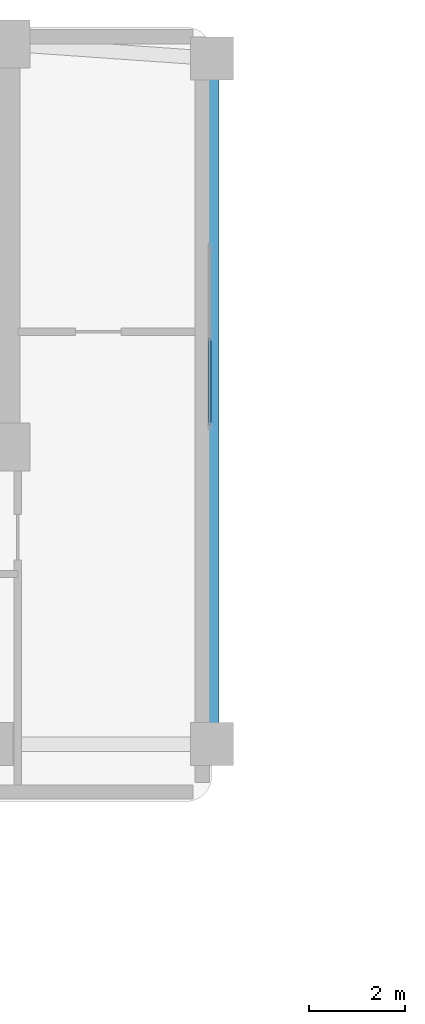
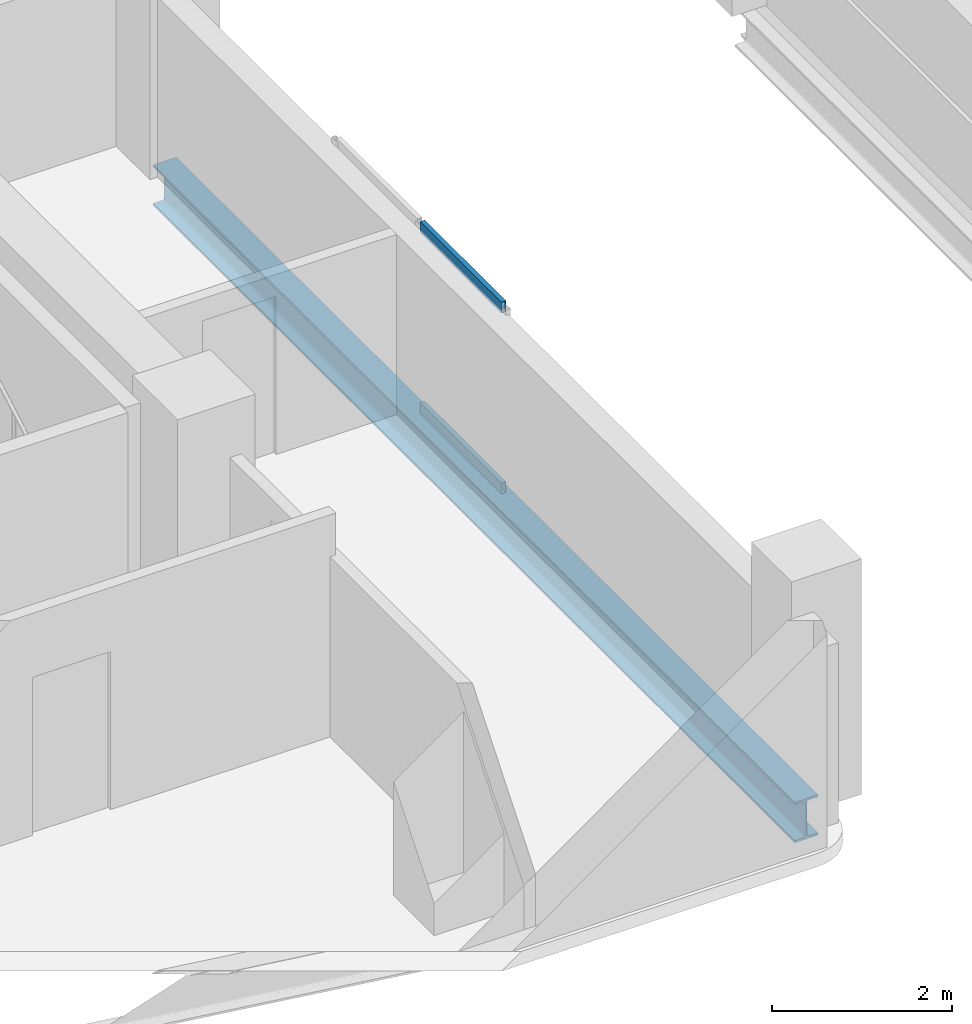
# One storey, part 3 of 10: 2 members, 1 beam, 1 element without a shape of its own.
"""IFC4 building model written with IfcOpenShell, lengths in metres."""

from ifc_helpers import new_model, si_unit, direction, frame, origin, origin_2d, place, context, subcontext, project, spatial, hollow_rectangle, i_section, extrude, material, material_profile, profile_set, type_object, element, aggregate, save


model = new_model("IFC4")

# Units and contexts
model_context = context("Model", 3, precision=1e-05, world=origin(), true_north=direction((0.0, 1.0)))
body_context = subcontext(model_context, "Body", "Model", "MODEL_VIEW")
ifc_project = project(units=[si_unit("LENGTHUNIT", "METRE"), si_unit("AREAUNIT", "SQUARE_METRE"), si_unit("VOLUMEUNIT", "CUBIC_METRE"), si_unit("PLANEANGLEUNIT", "RADIAN"), si_unit("MASSUNIT", "GRAM", prefix="KILO")], contexts=[model_context])

# Site, building, storey
site_placement = place(None, origin())
site = spatial("IfcSite", under=ifc_project, at=site_placement, CompositionType="ELEMENT")
building_placement = place(site_placement, origin())
building = spatial("IfcBuilding", under=site, at=building_placement, Name="Kuzgunbayir Cultural Tower", CompositionType="ELEMENT")
storey_placement = place(building_placement, frame((0.0, 0.0, 163.199951171875)))
storey = spatial("IfcBuildingStorey", under=building, at=storey_placement, Name="L47", CompositionType="ELEMENT", Elevation=163.199951171875)

# Beam
ifc_material_1 = material(Name="Steel S355J2", Category="steel")
ifc_material_profile_1 = material_profile(ifc_material_1, i_section(OverallWidth=0.300048828125, OverallDepth=0.550048828125, WebThickness=0.014892578125, FlangeThickness=0.029052734375, FilletRadius=0.027099609375, at=origin_2d()), Name="HEB 550")
ifc_profile_set_1 = profile_set([ifc_material_profile_1], Name="Steel S355J2")
beam_type = type_object("IfcBeamType", Name="BM-GIR-HEB550", PredefinedType="BEAM", material=ifc_profile_set_1)
beam_placement = place(storey_placement, frame((31.199951171875, 27.60009765625, -0.449951171875), z_axis=(0.0, 1.0, 0.0), x_axis=(-1.0, 0.0, 0.0)))
element("IfcBeam", 1, at=beam_placement, inside=storey, type_object=beam_type, Name="L47 Wing B Cross Girder", PredefinedType="BEAM", context=body_context, shape_type="SweptSolid", body=[
    extrude(i_section(OverallWidth=0.300048828125, OverallDepth=0.550048828125, WebThickness=0.014892578125, FlangeThickness=0.029052734375, FilletRadius=0.027099609375, at=origin_2d()), origin(), (0.0, 0.0, 1.0), 14.2998046875),
])

# Curtain wall, members
ifc_material_2 = material(Name="Anodised Aluminium Framing", Category="aluminium")
curtain_wall_type = type_object("IfcCurtainWallType", Name="CW02-PORTAL-SOFFIT", PredefinedType="NOTDEFINED", material=ifc_material_2)
curtain_wall_placement = place(storey_placement, origin())
curtain_wall = element("IfcCurtainWall", 2, at=curtain_wall_placement, inside=storey, type_object=curtain_wall_type, Name="L47 Wind-Portal Aperture Curtain Wall", PredefinedType="NOTDEFINED")
ifc_material_profile_2 = material_profile(ifc_material_2, hollow_rectangle(XDim=0.06005859375, YDim=0.14990234375, WallThickness=0.00390625, at=origin_2d()), Name="RHS 150x60x4")
ifc_profile_set_2 = profile_set([ifc_material_profile_2], Name="Anodised Aluminium Framing")
member_type = type_object("IfcMemberType", Name="MEM-CW-TRANSOM-150", PredefinedType="USERDEFINED", material=ifc_profile_set_2)
member_1_placement = place(storey_placement, frame((31.14990234375, 34.260009765625, 0.030029296875), z_axis=(0.0, 1.0, 0.0), x_axis=(-1.0, 0.0, 0.0)))
member_1 = element("IfcMember", 3, at=member_1_placement, type_object=member_type, Name="CW02 transom 1.1", ObjectType="TRANSOM", PredefinedType="USERDEFINED", context=body_context, shape_type="SweptSolid", body=[
    extrude(hollow_rectangle(XDim=0.06005859375, YDim=0.14990234375, WallThickness=0.00390625, at=origin_2d()), origin(), (0.0, 0.0, 1.0), 1.81005859375),
])
member_2_placement = place(storey_placement, frame((31.14990234375, 34.260009765625, 2.489990234375), z_axis=(0.0, 1.0, 0.0), x_axis=(-1.0, 0.0, 0.0)))
member_2 = element("IfcMember", 4, at=member_2_placement, type_object=member_type, Name="CW02 transom 1.2", ObjectType="TRANSOM", PredefinedType="USERDEFINED", context=body_context, shape_type="SweptSolid", body=[
    extrude(hollow_rectangle(XDim=0.06005859375, YDim=0.14990234375, WallThickness=0.00390625, at=origin_2d()), origin(), (0.0, 0.0, 1.0), 1.81005859375),
])
aggregate(curtain_wall, [member_1, member_2])

save(model, "model.ifc")
